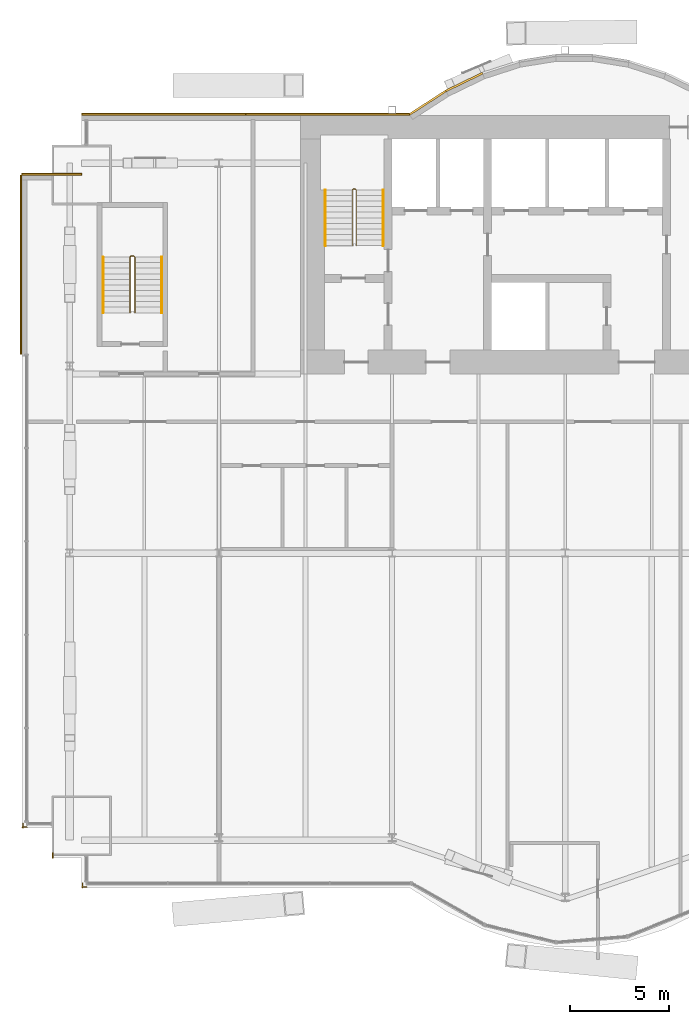
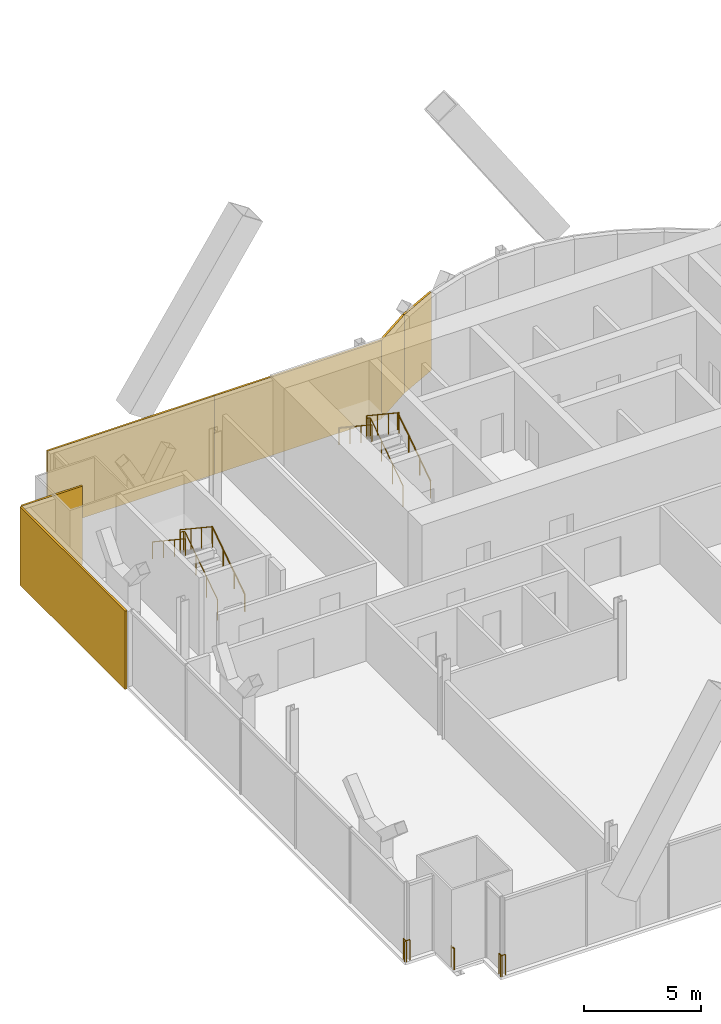
# One storey, part 20 of 22: 9 railings, 6 coverings.
"""IFC4 building model written with IfcOpenShell, lengths in metres."""

from ifc_helpers import new_model, si_unit, direction, frame, origin, origin_2d, place, context, subcontext, project, spatial, rectangle, circle, extrude, material, layer, layer_set, type_object, element, save


model = new_model("IFC4")

# Units and contexts
model_context = context("Model", 3, precision=1e-05, world=origin(), true_north=direction((0.0, 1.0)))
body_context = subcontext(model_context, "Body", "Model", "MODEL_VIEW")
ifc_project = project(units=[si_unit("LENGTHUNIT", "METRE"), si_unit("AREAUNIT", "SQUARE_METRE"), si_unit("VOLUMEUNIT", "CUBIC_METRE"), si_unit("PLANEANGLEUNIT", "RADIAN"), si_unit("MASSUNIT", "GRAM", prefix="KILO")], contexts=[model_context])

# Site, building, storey
site_placement = place(None, origin())
site = spatial("IfcSite", under=ifc_project, at=site_placement, CompositionType="ELEMENT")
building_placement = place(site_placement, origin())
building = spatial("IfcBuilding", under=site, at=building_placement, Name="Bicima Exchange Tower", CompositionType="ELEMENT")
storey_placement = place(building_placement, frame((0.0, 0.0, 94.0)))
storey = spatial("IfcBuildingStorey", under=building, at=storey_placement, Name="L19", CompositionType="ELEMENT", Elevation=94.0)

# Coverings
ifc_material_1 = material(Name="Bronze metal cladding")
ifc_layer_1 = layer(ifc_material_1, 0.004)
ifc_material_2 = material(Name="Ventilated cavity")
ifc_layer_2 = layer(ifc_material_2, 0.06)
ifc_material_3 = material(Name="Galvanised steel rail and mineral wool", Category="steel")
ifc_layer_3 = layer(ifc_material_3, 0.036)
ifc_layer_set = layer_set([ifc_layer_1, ifc_layer_2, ifc_layer_3], Name="Ventilated cavity")
covering_type = type_object("IfcCoveringType", Name="Bronze metal cladding panel 100", PredefinedType="CLADDING", material=ifc_layer_set)
covering_1_placement = place(storey_placement, frame((-13.771728515625, 1.674560546875, -0.150146484375), z_axis=(0.0, 0.0, 1.0), x_axis=(-0.899818346812, -0.436264762204, 0.0)))
element("IfcCovering", 1, at=covering_1_placement, inside=storey, type_object=covering_type, Name="Bronze cladding L19 18.1", PredefinedType="CLADDING", context=body_context, shape_type="SweptSolid", body=[
    extrude(rectangle(XDim=2.03759765625, YDim=0.10009765625, at=origin_2d()), origin(), (0.0, 0.0, 1.0), 4.10009765625),
])
covering_2_placement = place(storey_placement, frame((-15.610595703125, 0.634521484375, -0.150146484375), z_axis=(0.0, 0.0, 1.0), x_axis=(-0.839790466384, -0.542910648791, 0.0)))
element("IfcCovering", 2, at=covering_2_placement, inside=storey, type_object=covering_type, Name="Bronze cladding L19 19.1", PredefinedType="CLADDING", context=body_context, shape_type="SweptSolid", body=[
    extrude(rectangle(XDim=2.18310546875, YDim=0.10009765625, at=origin_2d()), origin(), (0.0, 0.0, 1.0), 4.10009765625),
])
for number, where, z_axis, x_axis, name in (
    (3, (-20.625, 0.050048828125, -0.150146484375), (0.0, 0.0, 1.0), (-1.0, 0.0, 0.0), "Bronze cladding L19 20.1"),
    (4, (-28.875, 0.050048828125, -0.150146484375), (0.0, 0.0, 1.0), (-1.0, 0.0, 0.0), "Bronze cladding L19 20.2"),
):
    element("IfcCovering", number, at=place(storey_placement, frame(where, z_axis=z_axis, x_axis=x_axis)), inside=storey, type_object=covering_type, Name=name, PredefinedType="CLADDING", context=body_context, shape_type="SweptSolid", body=[
        extrude(rectangle(XDim=8.25, YDim=0.10009765625, at=origin_2d()), origin(), (0.0, 0.0, 1.0), 4.10009765625),
    ])
covering_3_placement = place(storey_placement, frame((-34.5, -2.949951171875, -0.150146484375), z_axis=(0.0, 0.0, 1.0), x_axis=(-1.0, 0.0, 0.0)))
element("IfcCovering", 5, at=covering_3_placement, inside=storey, type_object=covering_type, Name="Bronze cladding L19 22.1", PredefinedType="CLADDING", context=body_context, shape_type="SweptSolid", body=[
    extrude(rectangle(XDim=3.0, YDim=0.10009765625, at=origin_2d()), origin(), (0.0, 0.0, 1.0), 4.10009765625),
])
covering_4_placement = place(storey_placement, frame((-36.050048828125, -7.5, -0.150146484375), z_axis=(0.0, 0.0, 1.0), x_axis=(0.0, -1.0, 0.0)))
element("IfcCovering", 6, at=covering_4_placement, inside=storey, type_object=covering_type, Name="Bronze cladding L19 23.1", PredefinedType="CLADDING", context=body_context, shape_type="SweptSolid", body=[
    extrude(rectangle(XDim=9.0, YDim=0.10009765625, at=origin_2d()), origin(), (0.0, 0.0, 1.0), 4.10009765625),
])

# Railings
ifc_material_4 = material(Name="Stainless steel and bonded safety glass", Category="steel")
railing_type_1 = type_object("IfcRailingType", Name="Edge guard 1100", PredefinedType="GUARDRAIL", material=ifc_material_4)
railing_1_placement = place(storey_placement, frame((-35.75, -35.778076171875, 0.0)))
element("IfcRailing", 7, at=railing_1_placement, inside=storey, type_object=railing_type_1, Name="Edge guard L19 85", PredefinedType="GUARDRAIL", context=body_context, shape_type="SweptSolid", body=[
    extrude(circle(Radius=0.02392578125, at=origin_2d()), frame((0.0, 0.0, 1.076171875), z_axis=(-1.0, 0.0, 0.0), x_axis=(0.0, -1.0, 0.0)), (0.0, 0.0, 1.0), 0.25),
    extrude(circle(Radius=0.02392578125, at=origin_2d()), frame((-0.25, 0.0, 1.076171875), z_axis=(0.708833529934, -0.705375805398, 0.0), x_axis=(0.705375805398, 0.708833529934, 0.0)), (0.0, 0.0, 1.0), 0.070556640625),
    extrude(circle(Radius=0.02392578125, at=origin_2d()), frame((-0.199951171875, -0.0498046875, 1.076171875), z_axis=(0.0, 1.0, 0.0), x_axis=(-1.0, 0.0, 0.0)), (0.0, 0.0, 1.0), 0.248779296875),
    extrude(circle(Radius=0.02099609375, at=origin_2d()), origin(), (0.0, 0.0, 1.0), 1.052001953125),
    extrude(circle(Radius=0.02099609375, at=origin_2d()), frame((-0.25, 0.0, 0.0)), (0.0, 0.0, 1.0), 1.052001953125),
    extrude(circle(Radius=0.02099609375, at=origin_2d()), frame((-0.199951171875, -0.0498046875, 0.0)), (0.0, 0.0, 1.0), 1.052001953125),
    extrude(circle(Radius=0.02099609375, at=origin_2d()), frame((-0.199951171875, 0.198974609375, 0.0)), (0.0, 0.0, 1.0), 1.052001953125),
])
railing_2_placement = place(storey_placement, frame((-32.75, -38.778076171875, 0.0)))
element("IfcRailing", 8, at=railing_2_placement, inside=storey, type_object=railing_type_1, Name="Edge guard L19 89", PredefinedType="GUARDRAIL", context=body_context, shape_type="SweptSolid", body=[
    extrude(circle(Radius=0.02392578125, at=origin_2d()), frame((0.0, 0.0, 1.076171875), z_axis=(-1.0, 0.0, 0.0), x_axis=(0.0, -1.0, 0.0)), (0.0, 0.0, 1.0), 0.25),
    extrude(circle(Radius=0.02392578125, at=origin_2d()), frame((-0.25, 0.0, 1.076171875), z_axis=(0.708833529934, -0.705375805398, 0.0), x_axis=(0.705375805398, 0.708833529934, 0.0)), (0.0, 0.0, 1.0), 0.070556640625),
    extrude(circle(Radius=0.02392578125, at=origin_2d()), frame((-0.199951171875, -0.0498046875, 1.076171875), z_axis=(0.0, 1.0, 0.0), x_axis=(-1.0, 0.0, 0.0)), (0.0, 0.0, 1.0), 0.25),
    extrude(circle(Radius=0.02099609375, at=origin_2d()), origin(), (0.0, 0.0, 1.0), 1.052001953125),
    extrude(circle(Radius=0.02099609375, at=origin_2d()), frame((-0.25, 0.0, 0.0)), (0.0, 0.0, 1.0), 1.052001953125),
    extrude(circle(Radius=0.02099609375, at=origin_2d()), frame((-0.199951171875, -0.0498046875, 0.0)), (0.0, 0.0, 1.0), 1.052001953125),
    extrude(circle(Radius=0.02099609375, at=origin_2d()), frame((-0.199951171875, 0.2001953125, 0.0)), (0.0, 0.0, 1.0), 1.052001953125),
])
railing_3_placement = place(storey_placement, frame((-34.449951171875, -37.327880859375, 0.0)))
element("IfcRailing", 9, at=railing_3_placement, inside=storey, type_object=railing_type_1, Name="Edge guard L19 90", PredefinedType="GUARDRAIL", context=body_context, shape_type="SweptSolid", body=[
    extrude(circle(Radius=0.02392578125, at=origin_2d()), frame((0.0, 0.0, 1.076171875), z_axis=(0.0, 1.0, 0.0), x_axis=(-1.0, 0.0, 0.0)), (0.0, 0.0, 1.0), 0.25),
    extrude(circle(Radius=0.02099609375, at=origin_2d()), origin(), (0.0, 0.0, 1.0), 1.052001953125),
    extrude(circle(Radius=0.02099609375, at=origin_2d()), frame((0.0, 0.25, 0.0)), (0.0, 0.0, 1.0), 1.052001953125),
])
ifc_material_5 = material(Name="Stainless steel", Category="steel")
railing_type_2 = type_object("IfcRailingType", Name="Stair guard 1100", PredefinedType="GUARDRAIL", material=ifc_material_5)
railing_4_placement = place(storey_placement, frame((-19.199951171875, -6.550048828125, 0.186279296875)))
element("IfcRailing", 10, at=railing_4_placement, inside=storey, type_object=railing_type_2, Name="L19 ST-W stair guard 1", PredefinedType="GUARDRAIL", context=body_context, shape_type="SweptSolid", body=[
    extrude(circle(Radius=0.02392578125, at=origin_2d()), frame((0.0, 0.0, 1.076171875), z_axis=(0.0, 0.832452072856, 0.554097055034), x_axis=(-1.0, 0.0, 0.0)), (0.0, 0.0, 1.0), 3.363525390625),
    extrude(circle(Radius=0.02392578125, at=origin_2d()), frame((0.0, 2.800048828125, 2.93994140625), z_axis=(-0.707106781187, 0.707106781187, 0.0), x_axis=(-0.707106781187, -0.707106781187, 0.0)), (0.0, 0.0, 1.0), 0.07080078125),
    extrude(circle(Radius=0.02392578125, at=origin_2d()), frame((-0.050048828125, 2.85009765625, 2.93994140625), z_axis=(-1.0, 0.0, 0.0), x_axis=(0.0, -1.0, 0.0)), (0.0, 0.0, 1.0), 0.10009765625),
    extrude(circle(Radius=0.02392578125, at=origin_2d()), frame((-0.150146484375, 2.85009765625, 2.93994140625), z_axis=(-0.250008635948, -0.251234168477, 0.935081319748), x_axis=(0.708833529934, -0.705375805398, 0.0)), (0.0, 0.0, 1.0), 0.19921875),
    extrude(circle(Radius=0.02392578125, at=origin_2d()), frame((-0.199951171875, 2.800048828125, 3.1259765625), z_axis=(0.0, -0.832452072856, 0.554097055034), x_axis=(1.0, 0.0, 0.0)), (0.0, 0.0, 1.0), 3.363525390625),
    extrude(circle(Radius=0.02099609375, at=origin_2d()), origin(), (0.0, 0.0, 1.0), 1.052001953125),
    extrude(circle(Radius=0.02099609375, at=origin_2d()), frame((0.0, 0.933349609375, 0.621337890625)), (0.0, 0.0, 1.0), 1.052001953125),
    extrude(circle(Radius=0.02099609375, at=origin_2d()), frame((0.0, 1.86669921875, 1.242431640625)), (0.0, 0.0, 1.0), 1.052001953125),
    extrude(circle(Radius=0.02099609375, at=origin_2d()), frame((0.0, 2.800048828125, 1.86376953125)), (0.0, 0.0, 1.0), 1.052001953125),
    extrude(circle(Radius=0.02099609375, at=origin_2d()), frame((-0.050048828125, 2.85009765625, 1.86376953125)), (0.0, 0.0, 1.0), 1.052001953125),
    extrude(circle(Radius=0.02099609375, at=origin_2d()), frame((-0.150146484375, 2.85009765625, 1.86376953125)), (0.0, 0.0, 1.0), 1.052001953125),
    extrude(circle(Radius=0.02099609375, at=origin_2d()), frame((-0.199951171875, 2.800048828125, 2.050048828125)), (0.0, 0.0, 1.0), 1.052001953125),
    extrude(circle(Radius=0.02099609375, at=origin_2d()), frame((-0.199951171875, 1.86669921875, 2.67138671875)), (0.0, 0.0, 1.0), 1.052001953125),
    extrude(circle(Radius=0.02099609375, at=origin_2d()), frame((-0.199951171875, 0.933349609375, 3.29248046875)), (0.0, 0.0, 1.0), 1.052001953125),
    extrude(circle(Radius=0.02099609375, at=origin_2d()), frame((-0.199951171875, 0.0, 3.913818359375)), (0.0, 0.0, 1.0), 1.052001953125),
])
railing_5_placement = place(storey_placement, frame((-30.324951171875, -9.925048828125, 0.186279296875)))
element("IfcRailing", 11, at=railing_5_placement, inside=storey, type_object=railing_type_2, Name="L19 ST-WW stair guard 1", PredefinedType="GUARDRAIL", context=body_context, shape_type="SweptSolid", body=[
    extrude(circle(Radius=0.02392578125, at=origin_2d()), frame((0.0, 0.0, 1.076171875), z_axis=(0.0, 0.832452072856, 0.554097055034), x_axis=(-1.0, 0.0, 0.0)), (0.0, 0.0, 1.0), 3.363525390625),
    extrude(circle(Radius=0.02392578125, at=origin_2d()), frame((0.0, 2.800048828125, 2.93994140625), z_axis=(-0.707106781187, 0.707106781187, 0.0), x_axis=(-0.707106781187, -0.707106781187, 0.0)), (0.0, 0.0, 1.0), 0.07080078125),
    extrude(circle(Radius=0.02392578125, at=origin_2d()), frame((-0.050048828125, 2.85009765625, 2.93994140625), z_axis=(-1.0, 0.0, 0.0), x_axis=(0.0, -1.0, 0.0)), (0.0, 0.0, 1.0), 0.14990234375),
    extrude(circle(Radius=0.02392578125, at=origin_2d()), frame((-0.199951171875, 2.85009765625, 2.93994140625), z_axis=(-0.251157038772, -0.251157038772, 0.934794246747), x_axis=(0.707106781187, -0.707106781187, 0.0)), (0.0, 0.0, 1.0), 0.19921875),
    extrude(circle(Radius=0.02392578125, at=origin_2d()), frame((-0.25, 2.800048828125, 3.1259765625), z_axis=(0.0, -0.832452072856, 0.554097055034), x_axis=(1.0, 0.0, 0.0)), (0.0, 0.0, 1.0), 3.363525390625),
    extrude(circle(Radius=0.02099609375, at=origin_2d()), origin(), (0.0, 0.0, 1.0), 1.052001953125),
    extrude(circle(Radius=0.02099609375, at=origin_2d()), frame((0.0, 0.933349609375, 0.621337890625)), (0.0, 0.0, 1.0), 1.052001953125),
    extrude(circle(Radius=0.02099609375, at=origin_2d()), frame((0.0, 1.86669921875, 1.242431640625)), (0.0, 0.0, 1.0), 1.052001953125),
    extrude(circle(Radius=0.02099609375, at=origin_2d()), frame((0.0, 2.800048828125, 1.86376953125)), (0.0, 0.0, 1.0), 1.052001953125),
    extrude(circle(Radius=0.02099609375, at=origin_2d()), frame((-0.050048828125, 2.85009765625, 1.86376953125)), (0.0, 0.0, 1.0), 1.052001953125),
    extrude(circle(Radius=0.02099609375, at=origin_2d()), frame((-0.199951171875, 2.85009765625, 1.86376953125)), (0.0, 0.0, 1.0), 1.052001953125),
    extrude(circle(Radius=0.02099609375, at=origin_2d()), frame((-0.25, 2.800048828125, 2.050048828125)), (0.0, 0.0, 1.0), 1.052001953125),
    extrude(circle(Radius=0.02099609375, at=origin_2d()), frame((-0.25, 1.86669921875, 2.67138671875)), (0.0, 0.0, 1.0), 1.052001953125),
    extrude(circle(Radius=0.02099609375, at=origin_2d()), frame((-0.25, 0.933349609375, 3.29248046875)), (0.0, 0.0, 1.0), 1.052001953125),
    extrude(circle(Radius=0.02099609375, at=origin_2d()), frame((-0.25, 0.0, 3.913818359375)), (0.0, 0.0, 1.0), 1.052001953125),
])
railing_type_3 = type_object("IfcRailingType", Name="Stair handrail 900", PredefinedType="HANDRAIL", material=ifc_material_5)
railing_6_placement = place(storey_placement, frame((-17.85009765625, -6.550048828125, 0.186279296875)))
element("IfcRailing", 12, at=railing_6_placement, inside=storey, type_object=railing_type_3, Name="L19 ST-W stair handrail 1", PredefinedType="HANDRAIL", context=body_context, shape_type="SweptSolid", body=[
    extrude(circle(Radius=0.02392578125, at=origin_2d()), frame((0.0, 0.0, 0.8759765625), z_axis=(0.0, 0.832452072856, 0.554097055034), x_axis=(-1.0, 0.0, 0.0)), (0.0, 0.0, 1.0), 3.363525390625),
    extrude(circle(Radius=0.02099609375, at=origin_2d()), origin(), (0.0, 0.0, 1.0), 0.851806640625),
    extrude(circle(Radius=0.02099609375, at=origin_2d()), frame((0.0, 0.933349609375, 0.621337890625)), (0.0, 0.0, 1.0), 0.851806640625),
    extrude(circle(Radius=0.02099609375, at=origin_2d()), frame((0.0, 1.86669921875, 1.242431640625)), (0.0, 0.0, 1.0), 0.851806640625),
    extrude(circle(Radius=0.02099609375, at=origin_2d()), frame((0.0, 2.800048828125, 1.86376953125)), (0.0, 0.0, 1.0), 0.851806640625),
])
railing_7_placement = place(storey_placement, frame((-20.75, -3.75, 2.27685546875)))
element("IfcRailing", 13, at=railing_7_placement, inside=storey, type_object=railing_type_3, Name="L19 ST-W stair handrail 2", PredefinedType="HANDRAIL", context=body_context, shape_type="SweptSolid", body=[
    extrude(circle(Radius=0.02392578125, at=origin_2d()), frame((0.0, 0.0, 0.8759765625), z_axis=(0.0, -0.832485552168, 0.554046753832), x_axis=(1.0, 0.0, 0.0)), (0.0, 0.0, 1.0), 3.363525390625),
    extrude(circle(Radius=0.02099609375, at=origin_2d()), origin(), (0.0, 0.0, 1.0), 0.851806640625),
    extrude(circle(Radius=0.02099609375, at=origin_2d()), frame((0.0, -0.933349609375, 0.62109375)), (0.0, 0.0, 1.0), 0.851806640625),
    extrude(circle(Radius=0.02099609375, at=origin_2d()), frame((0.0, -1.86669921875, 1.242431640625)), (0.0, 0.0, 1.0), 0.851806640625),
    extrude(circle(Radius=0.02099609375, at=origin_2d()), frame((0.0, -2.800048828125, 1.863525390625)), (0.0, 0.0, 1.0), 0.851806640625),
])
railing_8_placement = place(storey_placement, frame((-28.97509765625, -9.925048828125, 0.186279296875)))
element("IfcRailing", 14, at=railing_8_placement, inside=storey, type_object=railing_type_3, Name="L19 ST-WW stair handrail 1", PredefinedType="HANDRAIL", context=body_context, shape_type="SweptSolid", body=[
    extrude(circle(Radius=0.02392578125, at=origin_2d()), frame((0.0, 0.0, 0.8759765625), z_axis=(0.0, 0.832452072856, 0.554097055034), x_axis=(-1.0, 0.0, 0.0)), (0.0, 0.0, 1.0), 3.363525390625),
    extrude(circle(Radius=0.02099609375, at=origin_2d()), origin(), (0.0, 0.0, 1.0), 0.851806640625),
    extrude(circle(Radius=0.02099609375, at=origin_2d()), frame((0.0, 0.933349609375, 0.621337890625)), (0.0, 0.0, 1.0), 0.851806640625),
    extrude(circle(Radius=0.02099609375, at=origin_2d()), frame((0.0, 1.86669921875, 1.242431640625)), (0.0, 0.0, 1.0), 0.851806640625),
    extrude(circle(Radius=0.02099609375, at=origin_2d()), frame((0.0, 2.800048828125, 1.86376953125)), (0.0, 0.0, 1.0), 0.851806640625),
])
railing_9_placement = place(storey_placement, frame((-31.925048828125, -7.125, 2.27685546875)))
element("IfcRailing", 15, at=railing_9_placement, inside=storey, type_object=railing_type_3, Name="L19 ST-WW stair handrail 2", PredefinedType="HANDRAIL", context=body_context, shape_type="SweptSolid", body=[
    extrude(circle(Radius=0.02392578125, at=origin_2d()), frame((0.0, 0.0, 0.8759765625), z_axis=(0.0, -0.832485552168, 0.554046753832), x_axis=(1.0, 0.0, 0.0)), (0.0, 0.0, 1.0), 3.363525390625),
    extrude(circle(Radius=0.02099609375, at=origin_2d()), origin(), (0.0, 0.0, 1.0), 0.851806640625),
    extrude(circle(Radius=0.02099609375, at=origin_2d()), frame((0.0, -0.933349609375, 0.62109375)), (0.0, 0.0, 1.0), 0.851806640625),
    extrude(circle(Radius=0.02099609375, at=origin_2d()), frame((0.0, -1.86669921875, 1.242431640625)), (0.0, 0.0, 1.0), 0.851806640625),
    extrude(circle(Radius=0.02099609375, at=origin_2d()), frame((0.0, -2.800048828125, 1.863525390625)), (0.0, 0.0, 1.0), 0.851806640625),
])

save(model, "model.ifc")
